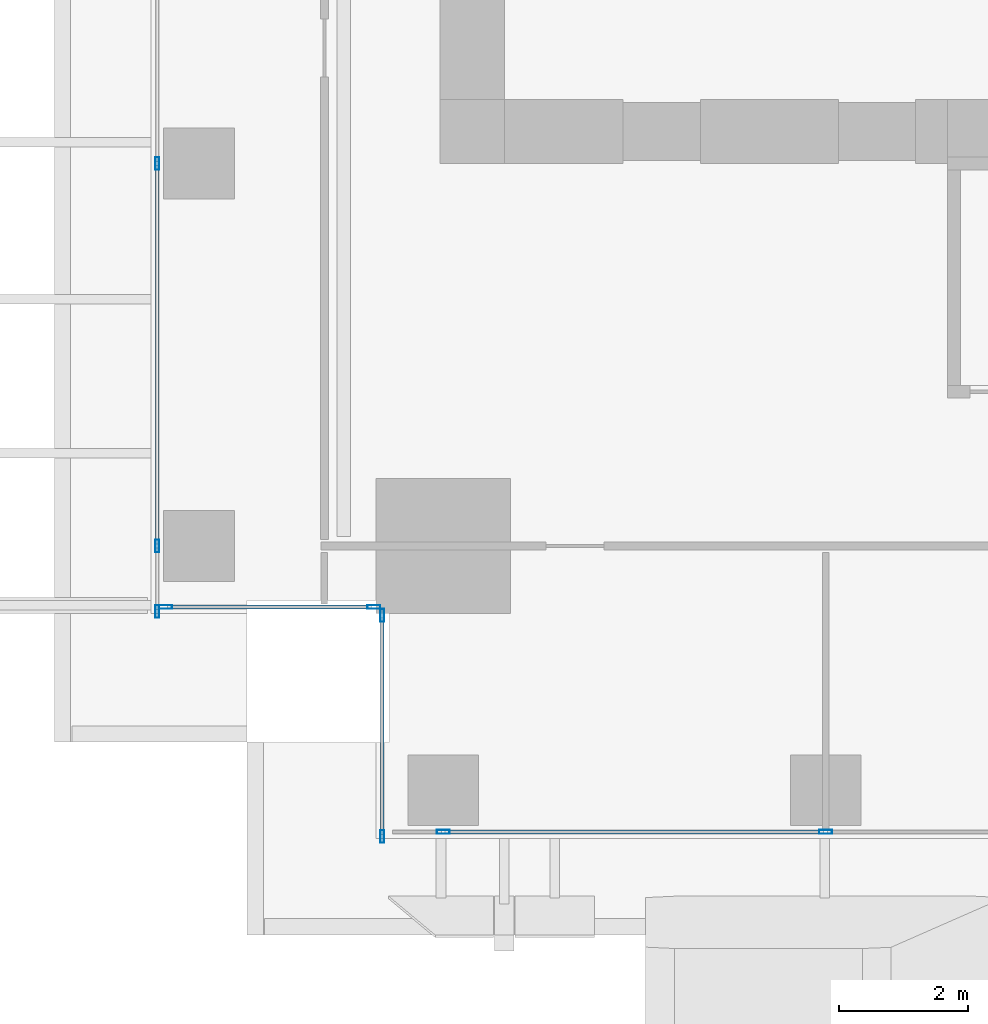
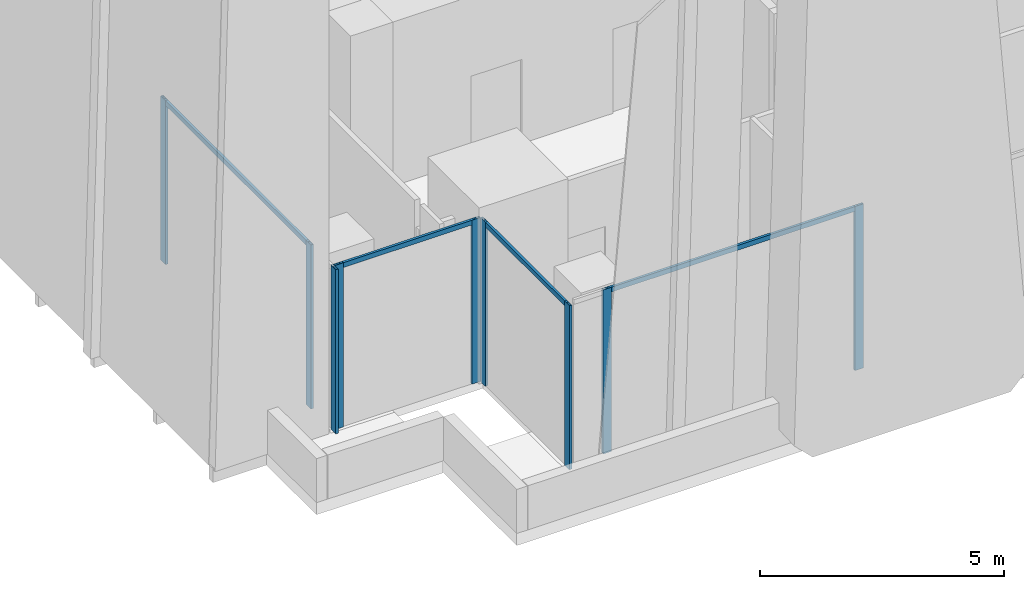
# One storey, part 2 of 37: 13 members, 4 elements without a shape of their own.
"""IFC4 building model written with IfcOpenShell, lengths in metres."""

from ifc_helpers import new_model, si_unit, direction, frame, origin, origin_2d, place, context, subcontext, project, spatial, hollow_rectangle, extrude, source, transform, mapped, material, material_profile, profile_set, type_object, element, aggregate, save


model = new_model("IFC4")

# Units and contexts
model_context = context("Model", 3, precision=1e-05, world=origin(), true_north=direction((0.0, 1.0)))
body_context = subcontext(model_context, "Body", "Model", "MODEL_VIEW")
ifc_project = project(units=[si_unit("LENGTHUNIT", "METRE"), si_unit("AREAUNIT", "SQUARE_METRE"), si_unit("VOLUMEUNIT", "CUBIC_METRE"), si_unit("PLANEANGLEUNIT", "RADIAN"), si_unit("MASSUNIT", "GRAM", prefix="KILO")], contexts=[model_context])

# Site, building, storey
site_placement = place(None, origin())
site = spatial("IfcSite", under=ifc_project, at=site_placement, CompositionType="ELEMENT")
building_placement = place(site_placement, origin())
building = spatial("IfcBuilding", under=site, at=building_placement, Name="Khomas Fold Tower", CompositionType="ELEMENT")
storey_placement = place(building_placement, frame((0.0, 0.0, 101.5)))
storey = spatial("IfcBuildingStorey", under=building, at=storey_placement, Name="L21", CompositionType="ELEMENT", Elevation=101.5)

# Curtain wall, members
ifc_material_1 = material(Name="Aluminium framed double glazing", Category="aluminium")
curtain_wall_type = type_object("IfcCurtainWallType", Name="SK-Unitised clear-glass wall, growing floors CW1", PredefinedType="NOTDEFINED", material=ifc_material_1)
curtain_wall_1_placement = place(storey_placement, origin())
curtain_wall_1 = element("IfcCurtainWall", 1, at=curtain_wall_1_placement, inside=storey, type_object=curtain_wall_type, Name="CW1 run L21 00-0", PredefinedType="NOTDEFINED")
ifc_material_2 = material(Name="Aluminium", Category="aluminium")
ifc_material_profile_1 = material_profile(ifc_material_2, hollow_rectangle(XDim=0.06005859375, YDim=0.199951171875, WallThickness=0.00390625, at=origin_2d()), Name="SK-Unitised clear-glass wall, growing floors mullion CW1-M")
ifc_profile_set_1 = profile_set([ifc_material_profile_1], Name="Aluminium")
member_type_1 = type_object("IfcMemberType", Name="SK-Unitised clear-glass wall, growing floors mullion CW1-M", PredefinedType="MULLION", material=ifc_profile_set_1)
shared_shape_1 = source(origin(), body_context, "Body", "SweptSolid", [
    extrude(hollow_rectangle(XDim=0.06005859375, YDim=0.199951171875, WallThickness=0.00390625, at=origin_2d()), origin(), (0.0, 0.0, 1.0), 4.10009765625),
])
member_1_placement = place(storey_placement, frame((6.050048828125, 1.60009765625, 0.0), z_axis=(0.0, 0.0, 1.0), x_axis=(0.0, 1.0, 0.0)))
member_1 = element("IfcMember", 2, at=member_1_placement, type_object=member_type_1, Name="CW1 mullion 2", PredefinedType="MULLION", context=body_context, shape_type="MappedRepresentation", body=[
    mapped(shared_shape_1, transform((0.0, 0.0, 0.0))),
])
member_2_placement = place(storey_placement, frame((12.0, 1.60009765625, 0.0), z_axis=(0.0, 0.0, 1.0), x_axis=(0.0, 1.0, 0.0)))
member_2 = element("IfcMember", 3, at=member_2_placement, type_object=member_type_1, Name="CW1 mullion 3", PredefinedType="MULLION", context=body_context, shape_type="MappedRepresentation", body=[
    mapped(shared_shape_1, transform((0.0, 0.0, 0.0))),
])

curtain_wall_2_placement = place(storey_placement, origin())
curtain_wall_2 = element("IfcCurtainWall", 4, at=curtain_wall_2_placement, inside=storey, type_object=curtain_wall_type, Name="CW1 run L21 09-0", PredefinedType="NOTDEFINED")
member_3_placement = place(storey_placement, frame((1.60009765625, 12.0, 0.0), z_axis=(0.0, 0.0, 1.0), x_axis=(1.0, 0.0, 0.0)))
member_3 = element("IfcMember", 5, at=member_3_placement, type_object=member_type_1, Name="CW1 mullion 7", PredefinedType="MULLION", context=body_context, shape_type="MappedRepresentation", body=[
    mapped(shared_shape_1, transform((0.0, 0.0, 0.0))),
])
member_4_placement = place(storey_placement, frame((1.60009765625, 6.050048828125, 0.0), z_axis=(0.0, 0.0, 1.0), x_axis=(1.0, 0.0, 0.0)))
member_4 = element("IfcMember", 6, at=member_4_placement, type_object=member_type_1, Name="CW1 mullion 8", PredefinedType="MULLION", context=body_context, shape_type="MappedRepresentation", body=[
    mapped(shared_shape_1, transform((0.0, 0.0, 0.0))),
])
member_5_placement = place(storey_placement, frame((1.60009765625, 5.030029296875, 0.0), z_axis=(0.0, 0.0, 1.0), x_axis=(1.0, 0.0, 0.0)))
member_5 = element("IfcMember", 7, at=member_5_placement, type_object=member_type_1, Name="CW1 mullion 9", PredefinedType="MULLION", context=body_context, shape_type="MappedRepresentation", body=[
    mapped(shared_shape_1, transform((0.0, 0.0, 0.0))),
])

curtain_wall_3_placement = place(storey_placement, origin())
curtain_wall_3 = element("IfcCurtainWall", 8, at=curtain_wall_3_placement, inside=storey, type_object=curtain_wall_type, Name="CW1 corner return L21 10", PredefinedType="NOTDEFINED")
member_6_placement = place(storey_placement, frame((1.72998046875, 5.10009765625, 0.0), z_axis=(0.0, 0.0, 1.0), x_axis=(0.0, 1.0, 0.0)))
member_6 = element("IfcMember", 9, at=member_6_placement, type_object=member_type_1, Name="CW1 mullion 1", PredefinedType="MULLION", context=body_context, shape_type="MappedRepresentation", body=[
    mapped(shared_shape_1, transform((0.0, 0.0, 0.0))),
])
member_7_placement = place(storey_placement, frame((4.969970703125, 5.10009765625, 0.0), z_axis=(0.0, 0.0, 1.0), x_axis=(0.0, 1.0, 0.0)))
member_7 = element("IfcMember", 10, at=member_7_placement, type_object=member_type_1, Name="CW1 mullion 2", PredefinedType="MULLION", context=body_context, shape_type="MappedRepresentation", body=[
    mapped(shared_shape_1, transform((0.0, 0.0, 0.0))),
])

curtain_wall_4_placement = place(storey_placement, origin())
curtain_wall_4 = element("IfcCurtainWall", 11, at=curtain_wall_4_placement, inside=storey, type_object=curtain_wall_type, Name="CW1 corner return L21 11", PredefinedType="NOTDEFINED")
member_8_placement = place(storey_placement, frame((5.10009765625, 4.969970703125, 0.0), z_axis=(0.0, 0.0, 1.0), x_axis=(1.0, 0.0, 0.0)))
member_8 = element("IfcMember", 12, at=member_8_placement, type_object=member_type_1, Name="CW1 mullion 1", PredefinedType="MULLION", context=body_context, shape_type="MappedRepresentation", body=[
    mapped(shared_shape_1, transform((0.0, 0.0, 0.0))),
])
member_9_placement = place(storey_placement, frame((5.10009765625, 1.530029296875, 0.0), z_axis=(0.0, 0.0, 1.0), x_axis=(1.0, 0.0, 0.0)))
member_9 = element("IfcMember", 13, at=member_9_placement, type_object=member_type_1, Name="CW1 mullion 2", PredefinedType="MULLION", context=body_context, shape_type="MappedRepresentation", body=[
    mapped(shared_shape_1, transform((0.0, 0.0, 0.0))),
])

# Member
ifc_material_3 = material(Name="Aluminium", Category="aluminium")
ifc_material_profile_2 = material_profile(ifc_material_3, hollow_rectangle(XDim=0.06005859375, YDim=0.1201171875, WallThickness=0.00390625, at=origin_2d()), Name="SK-Unitised clear-glass wall, growing floors transom CW1-T")
ifc_profile_set_2 = profile_set([ifc_material_profile_2], Name="Aluminium")
member_type_2 = type_object("IfcMemberType", Name="SK-Unitised clear-glass wall, growing floors transom CW1-T", PredefinedType="USERDEFINED", material=ifc_profile_set_2)
shared_shape_2 = source(origin(), body_context, "Body", "SweptSolid", [
    extrude(hollow_rectangle(XDim=0.06005859375, YDim=0.1201171875, WallThickness=0.00390625, at=origin_2d()), origin(), (0.0, 0.0, 1.0), 5.889892578125),
])
member_10_placement = place(storey_placement, frame((6.080078125, 1.60009765625, 4.0400390625), z_axis=(1.0, 0.0, 0.0), x_axis=(0.0, 1.0, 0.0)))
member_10 = element("IfcMember", 14, at=member_10_placement, type_object=member_type_2, Name="CW1 transom 2", ObjectType="TRANSOM", PredefinedType="USERDEFINED", context=body_context, shape_type="MappedRepresentation", body=[
    mapped(shared_shape_2, transform((0.0, 0.0, 0.0))),
])

aggregate(curtain_wall_1, [member_1, member_2, member_10])

member_11_placement = place(storey_placement, frame((1.60009765625, 11.969970703125, 4.0400390625), z_axis=(0.0, -1.0, 0.0), x_axis=(1.0, 0.0, 0.0)))
member_11 = element("IfcMember", 15, at=member_11_placement, type_object=member_type_2, Name="CW1 transom 7", ObjectType="TRANSOM", PredefinedType="USERDEFINED", context=body_context, shape_type="MappedRepresentation", body=[
    mapped(shared_shape_2, transform((0.0, 0.0, 0.0))),
])

aggregate(curtain_wall_2, [member_3, member_4, member_5, member_11])

shared_shape_3 = source(origin(), body_context, "Body", "SweptSolid", [
    extrude(hollow_rectangle(XDim=0.06005859375, YDim=0.1201171875, WallThickness=0.00390625, at=origin_2d()), origin(), (0.0, 0.0, 1.0), 3.179931640625),
])
member_12_placement = place(storey_placement, frame((1.760009765625, 5.10009765625, 4.0400390625), z_axis=(1.0, 0.0, 0.0), x_axis=(0.0, 1.0, 0.0)))
member_12 = element("IfcMember", 16, at=member_12_placement, type_object=member_type_2, Name="CW1 transom 1", ObjectType="TRANSOM", PredefinedType="USERDEFINED", context=body_context, shape_type="MappedRepresentation", body=[
    mapped(shared_shape_3, transform((0.0, 0.0, 0.0))),
])

aggregate(curtain_wall_3, [member_6, member_7, member_12])

shared_shape_4 = source(origin(), body_context, "Body", "SweptSolid", [
    extrude(hollow_rectangle(XDim=0.06005859375, YDim=0.1201171875, WallThickness=0.00390625, at=origin_2d()), origin(), (0.0, 0.0, 1.0), 3.3798828125),
])
member_13_placement = place(storey_placement, frame((5.10009765625, 4.93994140625, 4.0400390625), z_axis=(0.0, -1.0, 0.0), x_axis=(1.0, 0.0, 0.0)))
member_13 = element("IfcMember", 17, at=member_13_placement, type_object=member_type_2, Name="CW1 transom 1", ObjectType="TRANSOM", PredefinedType="USERDEFINED", context=body_context, shape_type="MappedRepresentation", body=[
    mapped(shared_shape_4, transform((0.0, 0.0, 0.0))),
])

aggregate(curtain_wall_4, [member_8, member_9, member_13])

save(model, "model.ifc")
